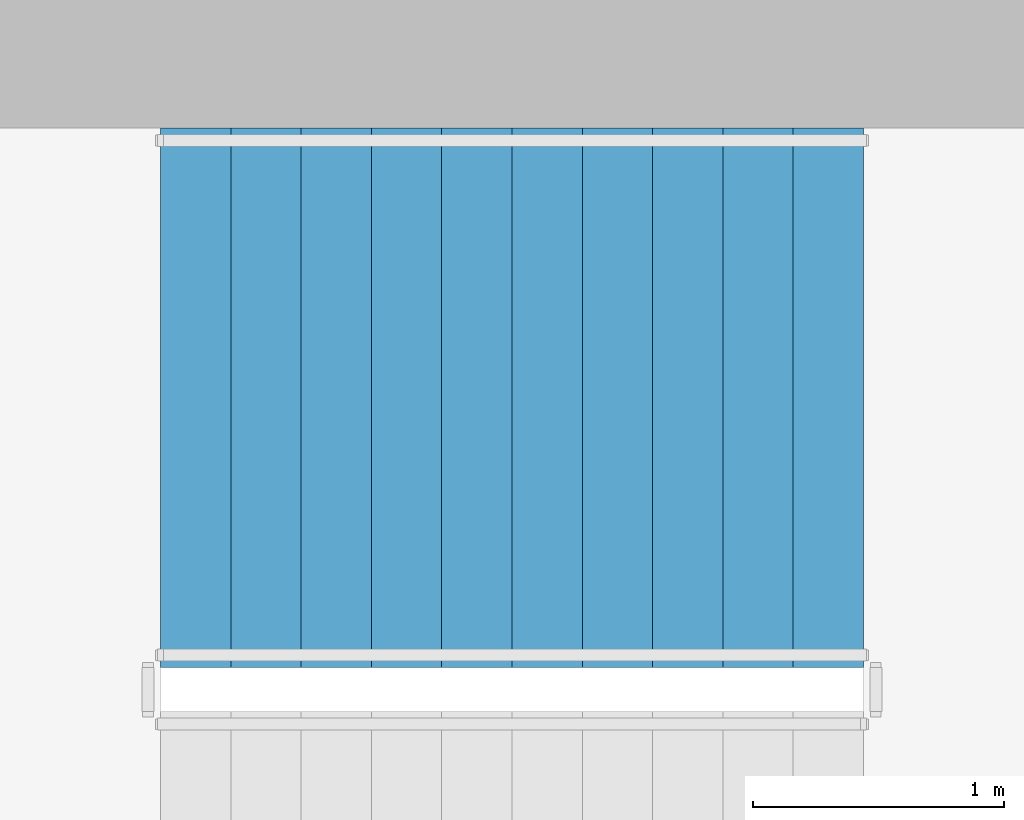
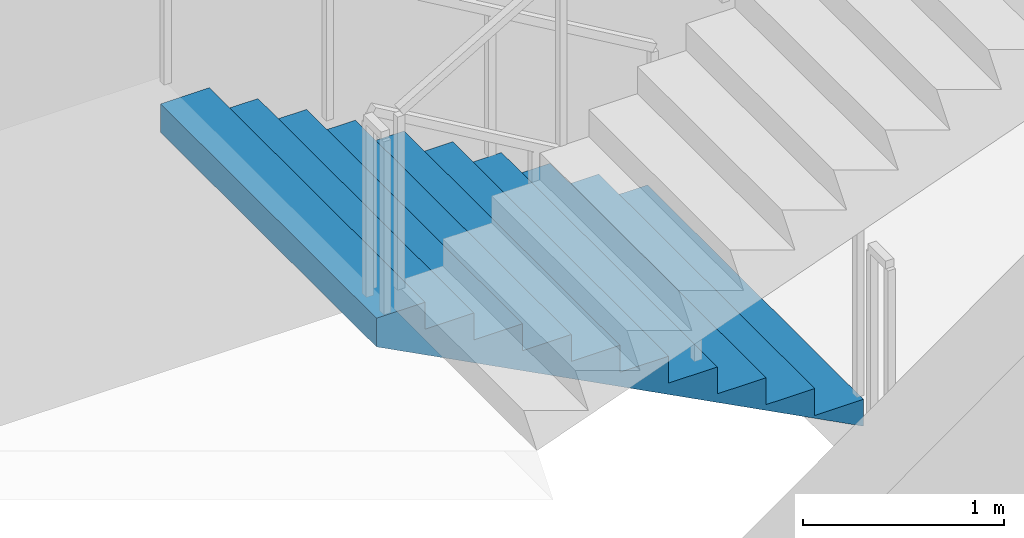
# One storey, part 12 of 20: 1 stair flight, 1 element without a shape of its own.
"""IFC4 building model written with IfcOpenShell, lengths in metres."""

from ifc_helpers import new_model, si_unit, direction, frame, origin, place, context, subcontext, project, spatial, triangles, material, type_object, element, aggregate, save


model = new_model("IFC4")

# Units and contexts
model_context = context("Model", 3, precision=1e-05, world=origin(), true_north=direction((0.0, 1.0)))
body_context = subcontext(model_context, "Body", "Model", "MODEL_VIEW")
ifc_project = project(units=[si_unit("LENGTHUNIT", "METRE"), si_unit("AREAUNIT", "SQUARE_METRE"), si_unit("VOLUMEUNIT", "CUBIC_METRE"), si_unit("PLANEANGLEUNIT", "RADIAN"), si_unit("MASSUNIT", "GRAM", prefix="KILO")], contexts=[model_context])

# Site, building, storey
site_placement = place(None, origin())
site = spatial("IfcSite", under=ifc_project, at=site_placement, CompositionType="ELEMENT")
building_placement = place(site_placement, origin())
building = spatial("IfcBuilding", under=site, at=building_placement, Name="Cypress Arch Tower", CompositionType="ELEMENT")
storey_placement = place(building_placement, frame((0.0, 0.0, 109.5)))
storey = spatial("IfcBuildingStorey", under=building, at=storey_placement, Name="L22", CompositionType="ELEMENT", Elevation=109.5)

# Stair, stair flight
ifc_material_1 = material(Name="Concrete C40/50", Category="concrete")
stair_type = type_object("IfcStairType", Name="Exit stair ES1636-215", PredefinedType="HALF_TURN_STAIR", material=ifc_material_1)
stair_placement = place(storey_placement, origin())
stair = element("IfcStair", 1, at=stair_placement, inside=storey, type_object=stair_type, Name="L22 Exit stair B", PredefinedType="HALF_TURN_STAIR")
ifc_material_2 = material(Name="Concrete C40/50", Category="concrete")
stair_flight_type = type_object("IfcStairFlightType", Name="Exit stair flight ES1636-215", PredefinedType="STRAIGHT", material=ifc_material_2)
stair_flight_placement = place(storey_placement, frame((-22.27490234375, 13.72509765625, 0.0), z_axis=(0.0, 0.0, 1.0), x_axis=(-1.0, 0.0, 0.0)))
stair_flight = element("IfcStairFlight", 2, at=stair_flight_placement, type_object=stair_flight_type, Name="B flight 1", NumberOfRisers=11, NumberOfTreads=10, PredefinedType="STRAIGHT", RiserHeight=0.163636364, TreadLength=0.28, context=body_context, shape_type="Tessellation", body=[
    triangles([(0.0, -1.074951171875, 0.0), (0.000244140625, -1.074951171875, 0.03271484375), (0.00048828125, -1.074951171875, 0.0654296875), (0.00048828125, -1.074951171875, 0.09814453125), (0.000244140625, -1.074951171875, 0.130859375), (0.0, -1.074951171875, 0.16357421875), (0.280029296875, -1.074951171875, 0.16357421875), (0.280029296875, -1.074951171875, 0.327392578125), (0.56005859375, -1.074951171875, 0.327392578125), (0.56005859375, -1.074951171875, 0.490966796875), (0.840087890625, -1.074951171875, 0.490966796875), (0.840087890625, -1.074951171875, 0.654541015625), (1.1201171875, -1.074951171875, 0.654541015625), (1.1201171875, -1.074951171875, 0.818115234375), (1.39990234375, -1.074951171875, 0.818115234375), (1.39990234375, -1.074951171875, 0.98193359375), (1.679931640625, -1.074951171875, 0.98193359375), (1.679931640625, -1.074951171875, 1.1455078125), (1.9599609375, -1.074951171875, 1.1455078125), (1.9599609375, -1.074951171875, 1.30908203125), (2.239990234375, -1.074951171875, 1.30908203125), (2.239990234375, -1.074951171875, 1.47265625), (2.52001953125, -1.074951171875, 1.47265625), (2.52001953125, -1.074951171875, 1.636474609375), (2.800048828125, -1.074951171875, 1.636474609375), (2.7998046875, -1.074951171875, 1.601806640625), (2.799560546875, -1.074951171875, 1.56689453125), (2.799560546875, -1.074951171875, 1.5322265625), (2.7998046875, -1.074951171875, 1.497314453125), (2.800048828125, -1.074951171875, 1.462646484375), (2.800048828125, 1.074951171875, 1.462646484375), (2.7998046875, 1.074951171875, 1.497314453125), (2.799560546875, 1.074951171875, 1.5322265625), (2.799560546875, 1.074951171875, 1.56689453125), (2.7998046875, 1.074951171875, 1.601806640625), (2.800048828125, 1.074951171875, 1.636474609375), (2.52001953125, 1.074951171875, 1.636474609375), (2.52001953125, 1.074951171875, 1.47265625), (2.239990234375, 1.074951171875, 1.47265625), (2.239990234375, 1.074951171875, 1.30908203125), (1.9599609375, 1.074951171875, 1.30908203125), (1.9599609375, 1.074951171875, 1.1455078125), (1.679931640625, 1.074951171875, 1.1455078125), (1.679931640625, 1.074951171875, 0.98193359375), (1.39990234375, 1.074951171875, 0.98193359375), (1.39990234375, 1.074951171875, 0.818115234375), (1.1201171875, 1.074951171875, 0.818115234375), (1.1201171875, 1.074951171875, 0.654541015625), (0.840087890625, 1.074951171875, 0.654541015625), (0.840087890625, 1.074951171875, 0.490966796875), (0.56005859375, 1.074951171875, 0.490966796875), (0.56005859375, 1.074951171875, 0.327392578125), (0.280029296875, 1.074951171875, 0.327392578125), (0.280029296875, 1.074951171875, 0.16357421875), (0.0, 1.074951171875, 0.16357421875), (0.000244140625, 1.074951171875, 0.130859375), (0.00048828125, 1.074951171875, 0.09814453125), (0.00048828125, 1.074951171875, 0.0654296875), (0.000244140625, 1.074951171875, 0.03271484375), (0.0, 1.074951171875, 0.0), (2.7998046875, 0.0, 1.497314453125), (2.800048828125, 0.0, 1.462646484375), (2.799560546875, 0.0, 1.5322265625), (2.799560546875, 0.0, 1.56689453125), (2.7998046875, 0.0, 1.601806640625), (2.800048828125, 0.0, 1.636474609375), (2.52001953125, 0.0, 1.636474609375), (2.52001953125, 0.0, 1.47265625), (2.239990234375, 0.0, 1.47265625), (2.239990234375, 0.0, 1.30908203125), (1.9599609375, 0.0, 1.30908203125), (1.9599609375, 0.0, 1.1455078125), (1.679931640625, 0.0, 1.1455078125), (1.679931640625, 0.0, 0.98193359375), (1.39990234375, 0.0, 0.98193359375), (1.39990234375, 0.0, 0.818115234375), (1.1201171875, 0.0, 0.818115234375), (1.1201171875, 0.0, 0.654541015625), (0.840087890625, 0.0, 0.654541015625), (0.840087890625, 0.0, 0.490966796875), (0.56005859375, 0.0, 0.490966796875), (0.56005859375, 0.0, 0.327392578125), (0.280029296875, 0.0, 0.327392578125), (0.280029296875, 0.0, 0.16357421875), (0.0, 0.0, 0.16357421875), (0.000244140625, 0.0, 0.130859375), (0.00048828125, 0.0, 0.09814453125), (0.00048828125, 0.0, 0.0654296875), (0.000244140625, 0.0, 0.03271484375), (0.0, 0.0, 0.0)], [[30, 29, 24], [29, 28, 24], [28, 27, 24], [27, 26, 24], [26, 25, 24], [17, 16, 15], [9, 8, 7], [15, 14, 13], [23, 22, 21], [21, 20, 19], [19, 18, 17], [13, 12, 11], [11, 10, 9], [6, 5, 7], [5, 4, 7], [4, 3, 7], [3, 2, 7], [2, 1, 7], [30, 24, 23], [30, 23, 21], [30, 21, 19], [30, 19, 17], [30, 17, 15], [30, 15, 13], [30, 13, 11], [30, 11, 9], [30, 9, 7], [30, 7, 1], [31, 37, 32], [32, 37, 33], [33, 37, 34], [34, 37, 35], [35, 37, 36], [44, 46, 45], [52, 54, 53], [46, 48, 47], [38, 40, 39], [40, 42, 41], [42, 44, 43], [48, 50, 49], [50, 52, 51], [55, 54, 56], [56, 54, 57], [57, 54, 58], [58, 54, 59], [59, 54, 60], [31, 38, 37], [31, 40, 38], [31, 42, 40], [31, 44, 42], [31, 46, 44], [31, 48, 46], [31, 50, 48], [31, 52, 50], [31, 54, 52], [31, 60, 54], [62, 61, 29], [62, 29, 30], [31, 32, 61], [31, 61, 62], [61, 63, 28], [61, 28, 29], [32, 33, 63], [32, 63, 61], [63, 64, 27], [63, 27, 28], [33, 34, 64], [33, 64, 63], [64, 65, 26], [64, 26, 27], [34, 35, 65], [34, 65, 64], [65, 66, 25], [65, 25, 26], [35, 36, 66], [35, 66, 65], [66, 67, 24], [66, 24, 25], [36, 37, 67], [36, 67, 66], [67, 68, 23], [67, 23, 24], [37, 38, 68], [37, 68, 67], [68, 69, 22], [68, 22, 23], [38, 39, 69], [38, 69, 68], [69, 70, 21], [69, 21, 22], [39, 40, 70], [39, 70, 69], [70, 71, 20], [70, 20, 21], [40, 41, 71], [40, 71, 70], [71, 72, 19], [71, 19, 20], [41, 42, 72], [41, 72, 71], [72, 73, 18], [72, 18, 19], [42, 43, 73], [42, 73, 72], [73, 74, 17], [73, 17, 18], [43, 44, 74], [43, 74, 73], [74, 75, 16], [74, 16, 17], [44, 45, 75], [44, 75, 74], [75, 76, 15], [75, 15, 16], [45, 46, 76], [45, 76, 75], [76, 77, 14], [76, 14, 15], [46, 47, 77], [46, 77, 76], [77, 78, 13], [77, 13, 14], [47, 48, 78], [47, 78, 77], [78, 79, 12], [78, 12, 13], [48, 49, 79], [48, 79, 78], [79, 80, 11], [79, 11, 12], [49, 50, 80], [49, 80, 79], [80, 81, 10], [80, 10, 11], [50, 51, 81], [50, 81, 80], [81, 82, 9], [81, 9, 10], [51, 52, 82], [51, 82, 81], [82, 83, 8], [82, 8, 9], [52, 53, 83], [52, 83, 82], [83, 84, 7], [83, 7, 8], [53, 54, 84], [53, 84, 83], [84, 85, 6], [84, 6, 7], [54, 55, 85], [54, 85, 84], [85, 86, 5], [85, 5, 6], [55, 56, 86], [55, 86, 85], [86, 87, 4], [86, 4, 5], [56, 57, 87], [56, 87, 86], [87, 88, 3], [87, 3, 4], [57, 58, 88], [57, 88, 87], [88, 89, 2], [88, 2, 3], [58, 59, 89], [58, 89, 88], [89, 90, 1], [89, 1, 2], [59, 60, 90], [59, 90, 89], [90, 62, 30], [90, 30, 1], [60, 31, 62], [60, 62, 90]], closed=True),
])
aggregate(stair, [stair_flight])

save(model, "model.ifc")
